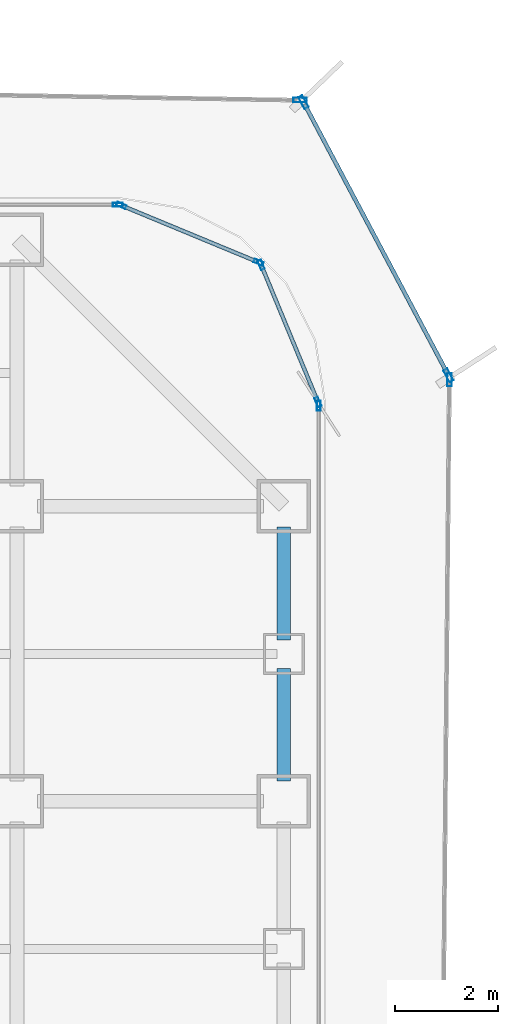
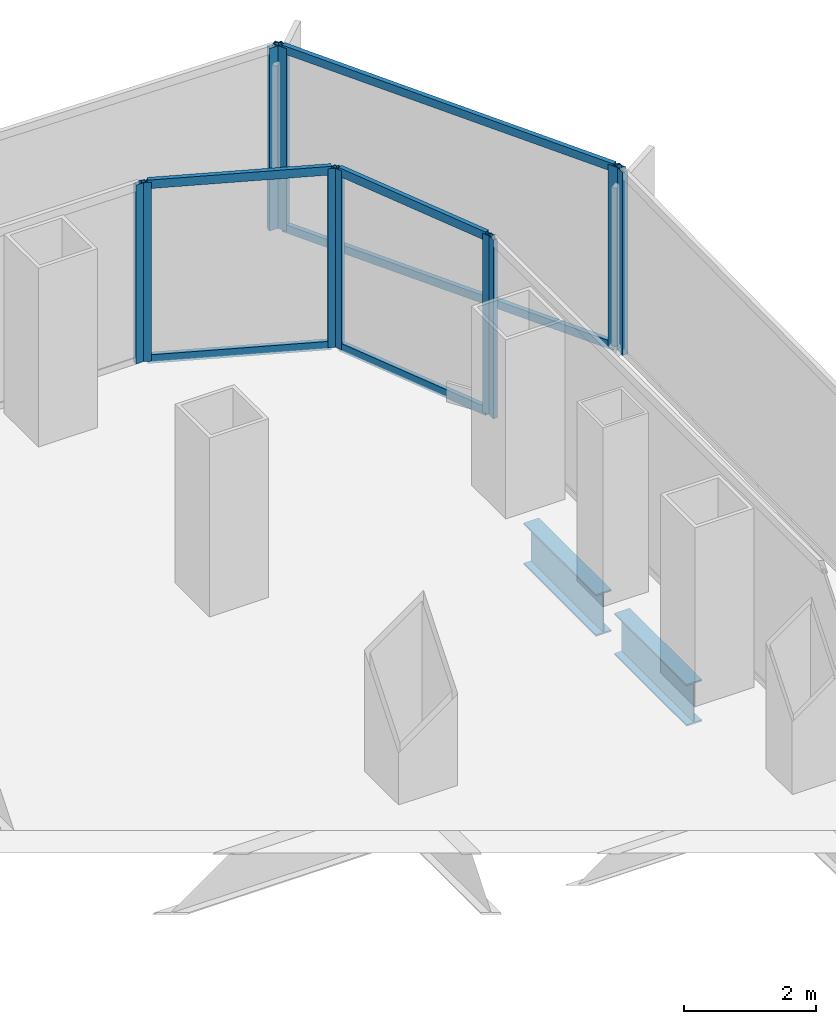
# One storey, part 15 of 21: 16 members, 2 beams, 7 elements without a shape of their own.
"""IFC4 building model written with IfcOpenShell, lengths in metres."""

from ifc_helpers import new_model, si_unit, direction, frame, origin, origin_2d, place, context, subcontext, project, spatial, hollow_rectangle, i_section, extrude, source, transform, mapped, material, layer, layer_set, material_profile, profile_set, type_object, element, aggregate, save


model = new_model("IFC4")

# Units and contexts
model_context = context("Model", 3, precision=1e-05, world=origin(), true_north=direction((0.0, 1.0)))
body_context = subcontext(model_context, "Body", "Model", "MODEL_VIEW")
ifc_project = project(units=[si_unit("LENGTHUNIT", "METRE"), si_unit("AREAUNIT", "SQUARE_METRE"), si_unit("VOLUMEUNIT", "CUBIC_METRE"), si_unit("PLANEANGLEUNIT", "RADIAN"), si_unit("MASSUNIT", "GRAM", prefix="KILO")], contexts=[model_context])

# Site, building, storey
site_placement = place(None, origin())
site = spatial("IfcSite", under=ifc_project, at=site_placement, CompositionType="ELEMENT")
building_placement = place(site_placement, origin())
building = spatial("IfcBuilding", under=site, at=building_placement, Name="Kolveth Station Tower", CompositionType="ELEMENT")
storey_placement = place(building_placement, frame((0.0, 0.0, 58.5)))
storey = spatial("IfcBuildingStorey", under=building, at=storey_placement, Name="L15", CompositionType="ELEMENT", Elevation=58.5)

# Beams
ifc_material_1 = material(Name="Steel S355", Category="steel")
ifc_material_profile_1 = material_profile(ifc_material_1, i_section(OverallWidth=0.26904296875, OverallDepth=0.77490234375, WebThickness=0.01708984375, FlangeThickness=0.0283203125, at=origin_2d()), Name="W760x220")
ifc_profile_set_1 = profile_set([ifc_material_profile_1], Name="Steel S355")
beam_type = type_object("IfcBeamType", Name="Beam_SP1", PredefinedType="SPANDREL", material=ifc_profile_set_1)
shared_shape_1 = source(origin(), body_context, "Body", "SweptSolid", [
    extrude(i_section(OverallWidth=0.26904296875, OverallDepth=0.77490234375, WebThickness=0.01708984375, FlangeThickness=0.0283203125, at=origin_2d()), origin(), (0.0, 0.0, 1.0), 2.2001953125),
])
beam_1_placement = place(storey_placement, frame((46.199951171875, 31.89990234375, -0.66748046875), z_axis=(0.0, 1.0, 0.0), x_axis=(-1.0, 0.0, 0.0)))
element("IfcBeam", 1, at=beam_1_placement, inside=storey, type_object=beam_type, Name="L15 Perimeter Spandrel BM-L15-PE-10", PredefinedType="SPANDREL", context=body_context, shape_type="MappedRepresentation", body=[
    mapped(shared_shape_1, transform((0.0, 0.0, 0.0), x_axis=(1.0, 0.0, 0.0), y_axis=(0.0, 1.0, 0.0), z_axis=(0.0, 0.0, 1.0), scale=1.0)),
])
shared_shape_2 = source(origin(), body_context, "Body", "SweptSolid", [
    extrude(i_section(OverallWidth=0.26904296875, OverallDepth=0.77490234375, WebThickness=0.01708984375, FlangeThickness=0.0283203125, at=origin_2d()), origin(), (0.0, 0.0, 1.0), 2.190185546875),
])
beam_2_placement = place(storey_placement, frame((46.199951171875, 29.14990234375, -0.66748046875), z_axis=(0.0, 1.0, 0.0), x_axis=(-1.0, 0.0, 0.0)))
element("IfcBeam", 2, at=beam_2_placement, inside=storey, type_object=beam_type, Name="L15 Perimeter Spandrel BM-L15-PE-9", PredefinedType="SPANDREL", context=body_context, shape_type="MappedRepresentation", body=[
    mapped(shared_shape_2, transform((0.0, 0.0, 0.0), x_axis=(1.0, 0.0, 0.0), y_axis=(0.0, 1.0, 0.0), z_axis=(0.0, 0.0, 1.0), scale=1.0)),
])

# Curtain wall, member
ifc_material_2 = material(Name="Aluminium 6063-T6 and low-E dark glass", Category="aluminium")
ifc_layer_1 = layer(ifc_material_2, 0.179931640625)
ifc_layer_set_1 = layer_set([ifc_layer_1], Name="Aluminium 6063-T6 and low-E dark glass")
curtain_wall_type_1 = type_object("IfcCurtainWallType", Name="CurtainWall_CW-Z1", PredefinedType="NOTDEFINED", material=ifc_layer_set_1)
curtain_wall_1_placement = place(storey_placement, origin())
curtain_wall_1 = element("IfcCurtainWall", 3, at=curtain_wall_1_placement, inside=storey, type_object=curtain_wall_type_1, Name="L15 Inner Thermal Curtain Wall 3", PredefinedType="NOTDEFINED")
ifc_material_3 = material(Name="Black anodized aluminium 6063-T6", Category="aluminium")
ifc_material_profile_2 = material_profile(ifc_material_3, hollow_rectangle(XDim=0.074951171875, YDim=0.18994140625, WallThickness=0.0048828125, at=origin_2d()), Name="ALU-75x190x5")
ifc_profile_set_2 = profile_set([ifc_material_profile_2], Name="Black anodized aluminium 6063-T6")
member_type_1 = type_object("IfcMemberType", Name="Mullion_ML1", PredefinedType="MULLION", material=ifc_profile_set_2)
shared_shape_3 = source(origin(), body_context, "Body", "SweptSolid", [
    extrude(hollow_rectangle(XDim=0.074951171875, YDim=0.18994140625, WallThickness=0.0048828125, at=origin_2d()), origin(), (0.0, 0.0, 1.0), 3.320068359375),
])
member_1_placement = place(storey_placement, frame((46.8798828125, 36.46240234375, 0.0), z_axis=(0.0, 0.0, 1.0), x_axis=(-1.0, 0.0, 0.0)))
member_1 = element("IfcMember", 4, at=member_1_placement, type_object=member_type_1, Name="CW-Z1 mullion 2", PredefinedType="MULLION", context=body_context, shape_type="MappedRepresentation", body=[
    mapped(shared_shape_3, transform((0.0, 0.0, 0.0), x_axis=(1.0, 0.0, 0.0), y_axis=(0.0, 1.0, 0.0), z_axis=(0.0, 0.0, 1.0), scale=1.0)),
])
aggregate(curtain_wall_1, [member_1])

# Curtain wall, members
curtain_wall_2_placement = place(storey_placement, origin())
curtain_wall_2 = element("IfcCurtainWall", 5, at=curtain_wall_2_placement, inside=storey, type_object=curtain_wall_type_1, Name="L15 Inner Thermal Curtain Wall 4", PredefinedType="NOTDEFINED")
member_2_placement = place(storey_placement, frame((46.86572265625, 36.53466796875, 0.0), z_axis=(0.0, 0.0, 1.0), x_axis=(-0.923883857728, -0.382672990201, 0.0)))
member_2 = element("IfcMember", 6, at=member_2_placement, type_object=member_type_1, Name="CW-Z1 mullion 1", PredefinedType="MULLION", context=body_context, shape_type="MappedRepresentation", body=[
    mapped(shared_shape_3, transform((0.0, 0.0, 0.0), x_axis=(1.0, 0.0, 0.0), y_axis=(0.0, 1.0, 0.0), z_axis=(0.0, 0.0, 1.0), scale=1.0)),
])
member_3_placement = place(storey_placement, frame((45.758056640625, 39.208984375, 0.0), z_axis=(0.0, 0.0, 1.0), x_axis=(-0.923883857728, -0.382672990201, 0.0)))
member_3 = element("IfcMember", 7, at=member_3_placement, type_object=member_type_1, Name="CW-Z1 mullion 2", PredefinedType="MULLION", context=body_context, shape_type="MappedRepresentation", body=[
    mapped(shared_shape_3, transform((0.0, 0.0, 0.0), x_axis=(1.0, 0.0, 0.0), y_axis=(0.0, 1.0, 0.0), z_axis=(0.0, 0.0, 1.0), scale=1.0)),
])

curtain_wall_3_placement = place(storey_placement, origin())
curtain_wall_3 = element("IfcCurtainWall", 8, at=curtain_wall_3_placement, inside=storey, type_object=curtain_wall_type_1, Name="L15 Inner Thermal Curtain Wall 5", PredefinedType="NOTDEFINED")
member_4_placement = place(storey_placement, frame((45.708984375, 39.258056640625, 0.0), z_axis=(0.0, 0.0, 1.0), x_axis=(-0.382672990201, -0.923883857728, 0.0)))
member_4 = element("IfcMember", 9, at=member_4_placement, type_object=member_type_1, Name="CW-Z1 mullion 1", PredefinedType="MULLION", context=body_context, shape_type="MappedRepresentation", body=[
    mapped(shared_shape_3, transform((0.0, 0.0, 0.0), x_axis=(1.0, 0.0, 0.0), y_axis=(0.0, 1.0, 0.0), z_axis=(0.0, 0.0, 1.0), scale=1.0)),
])
member_5_placement = place(storey_placement, frame((43.03466796875, 40.36572265625, 0.0), z_axis=(0.0, 0.0, 1.0), x_axis=(-0.382672990201, -0.923883857728, 0.0)))
member_5 = element("IfcMember", 10, at=member_5_placement, type_object=member_type_1, Name="CW-Z1 mullion 2", PredefinedType="MULLION", context=body_context, shape_type="MappedRepresentation", body=[
    mapped(shared_shape_3, transform((0.0, 0.0, 0.0), x_axis=(1.0, 0.0, 0.0), y_axis=(0.0, 1.0, 0.0), z_axis=(0.0, 0.0, 1.0), scale=1.0)),
])

# Curtain wall, member
curtain_wall_4_placement = place(storey_placement, origin())
curtain_wall_4 = element("IfcCurtainWall", 11, at=curtain_wall_4_placement, inside=storey, type_object=curtain_wall_type_1, Name="L15 Inner Thermal Curtain Wall 6", PredefinedType="NOTDEFINED")
member_6_placement = place(storey_placement, frame((42.96240234375, 40.3798828125, 0.0), z_axis=(0.0, 0.0, 1.0), x_axis=(0.0, -1.0, 0.0)))
member_6 = element("IfcMember", 12, at=member_6_placement, type_object=member_type_1, Name="CW-Z1 mullion 1", PredefinedType="MULLION", context=body_context, shape_type="MappedRepresentation", body=[
    mapped(shared_shape_3, transform((0.0, 0.0, 0.0), x_axis=(1.0, 0.0, 0.0), y_axis=(0.0, 1.0, 0.0), z_axis=(0.0, 0.0, 1.0), scale=1.0)),
])
aggregate(curtain_wall_4, [member_6])

# Member
ifc_material_profile_3 = material_profile(ifc_material_3, hollow_rectangle(XDim=0.074951171875, YDim=0.159912109375, WallThickness=0.0048828125, at=origin_2d()), Name="ALU-75x160x5")
ifc_profile_set_3 = profile_set([ifc_material_profile_3], Name="Black anodized aluminium 6063-T6")
member_type_2 = type_object("IfcMemberType", Name="Transom_TR1", PredefinedType="USERDEFINED", material=ifc_profile_set_3)
shared_shape_4 = source(origin(), body_context, "Body", "SweptSolid", [
    extrude(hollow_rectangle(XDim=0.074951171875, YDim=0.159912109375, WallThickness=0.0048828125, at=origin_2d()), origin(), (0.0, 0.0, 1.0), 2.819580078125),
])
member_7_placement = place(storey_placement, frame((46.851318359375, 36.5693359375, 0.03759765625), z_axis=(-0.382708655389, 0.923869084389, 0.0), x_axis=(-0.923869084389, -0.382708655389, 0.0)))
member_7 = element("IfcMember", 13, at=member_7_placement, type_object=member_type_2, Name="CW-Z1 transom 1.1", ObjectType="TRANSOM", PredefinedType="USERDEFINED", context=body_context, shape_type="MappedRepresentation", body=[
    mapped(shared_shape_4, transform((0.0, 0.0, 0.0), x_axis=(1.0, 0.0, 0.0), y_axis=(0.0, 1.0, 0.0), z_axis=(0.0, 0.0, 1.0), scale=1.0)),
])

member_8_placement = place(storey_placement, frame((46.851318359375, 36.5693359375, 3.282470703125), z_axis=(-0.382708655389, 0.923869084389, 0.0), x_axis=(-0.923869084389, -0.382708655389, 0.0)))
member_8 = element("IfcMember", 14, at=member_8_placement, type_object=member_type_2, Name="CW-Z1 transom 1.2", ObjectType="TRANSOM", PredefinedType="USERDEFINED", context=body_context, shape_type="MappedRepresentation", body=[
    mapped(shared_shape_4, transform((0.0, 0.0, 0.0), x_axis=(1.0, 0.0, 0.0), y_axis=(0.0, 1.0, 0.0), z_axis=(0.0, 0.0, 1.0), scale=1.0)),
])

aggregate(curtain_wall_2, [member_2, member_3, member_7, member_8])

member_9_placement = place(storey_placement, frame((45.67431640625, 39.272216796875, 0.03759765625), z_axis=(-0.923869084389, 0.382708655389, 0.0), x_axis=(-0.382708655389, -0.923869084389, 0.0)))
member_9 = element("IfcMember", 15, at=member_9_placement, type_object=member_type_2, Name="CW-Z1 transom 1.1", ObjectType="TRANSOM", PredefinedType="USERDEFINED", context=body_context, shape_type="MappedRepresentation", body=[
    mapped(shared_shape_4, transform((0.0, 0.0, 0.0), x_axis=(1.0, 0.0, 0.0), y_axis=(0.0, 1.0, 0.0), z_axis=(0.0, 0.0, 1.0), scale=1.0)),
])

member_10_placement = place(storey_placement, frame((45.67431640625, 39.272216796875, 3.282470703125), z_axis=(-0.923869084389, 0.382708655389, 0.0), x_axis=(-0.382708655389, -0.923869084389, 0.0)))
member_10 = element("IfcMember", 16, at=member_10_placement, type_object=member_type_2, Name="CW-Z1 transom 1.2", ObjectType="TRANSOM", PredefinedType="USERDEFINED", context=body_context, shape_type="MappedRepresentation", body=[
    mapped(shared_shape_4, transform((0.0, 0.0, 0.0), x_axis=(1.0, 0.0, 0.0), y_axis=(0.0, 1.0, 0.0), z_axis=(0.0, 0.0, 1.0), scale=1.0)),
])

aggregate(curtain_wall_3, [member_4, member_5, member_9, member_10])

# Curtain wall, member
ifc_material_4 = material(Name="Black anodized aluminium 6063-T6 and dark solar glass", Category="aluminium")
ifc_layer_2 = layer(ifc_material_4, 0.159912109375)
ifc_layer_set_2 = layer_set([ifc_layer_2], Name="Black anodized aluminium 6063-T6 and dark solar glass")
curtain_wall_type_2 = type_object("IfcCurtainWallType", Name="OUTER SKIN CW-OS", PredefinedType="NOTDEFINED", material=ifc_layer_set_2)
curtain_wall_5_placement = place(storey_placement, origin())
curtain_wall_5 = element("IfcCurtainWall", 17, at=curtain_wall_5_placement, inside=storey, type_object=curtain_wall_type_2, Name="L15 Outer Ventilated Skin Curtain Wall 2", PredefinedType="NOTDEFINED")
ifc_material_profile_4 = material_profile(ifc_material_3, hollow_rectangle(XDim=0.090087890625, YDim=0.260009765625, WallThickness=0.0048828125, at=origin_2d()), Name="ALU-90x260x5")
ifc_profile_set_4 = profile_set([ifc_material_profile_4], Name="Black anodized aluminium 6063-T6")
member_type_3 = type_object("IfcMemberType", Name="FIN MULLION ML-OS", PredefinedType="MULLION", material=ifc_profile_set_4)
shared_shape_5 = source(origin(), body_context, "Body", "SweptSolid", [
    extrude(hollow_rectangle(XDim=0.090087890625, YDim=0.260009765625, WallThickness=0.0048828125, at=origin_2d()), origin(), (0.0, 0.0, 1.0), 3.389892578125),
])
member_11_placement = place(storey_placement, frame((49.4306640625, 36.969482421875, 0.0), z_axis=(0.0, 0.0, 1.0), x_axis=(-0.999956243788, 0.009354705231, 0.0)))
member_11 = element("IfcMember", 18, at=member_11_placement, type_object=member_type_3, Name="CW-OS mullion 2", PredefinedType="MULLION", context=body_context, shape_type="MappedRepresentation", body=[
    mapped(shared_shape_5, transform((0.0, 0.0, 0.0), x_axis=(1.0, 0.0, 0.0), y_axis=(0.0, 1.0, 0.0), z_axis=(0.0, 0.0, 1.0), scale=1.0)),
])
aggregate(curtain_wall_5, [member_11])

# Curtain wall, members
curtain_wall_6_placement = place(storey_placement, origin())
curtain_wall_6 = element("IfcCurtainWall", 19, at=curtain_wall_6_placement, inside=storey, type_object=curtain_wall_type_2, Name="L15 Outer Ventilated Skin Curtain Wall 3", PredefinedType="NOTDEFINED")
member_12_placement = place(storey_placement, frame((49.41015625, 37.054443359375, 0.0), z_axis=(0.0, 0.0, 1.0), x_axis=(-0.883331208942, -0.468749373662, 0.0)))
member_12 = element("IfcMember", 20, at=member_12_placement, type_object=member_type_3, Name="CW-OS mullion 1", PredefinedType="MULLION", context=body_context, shape_type="MappedRepresentation", body=[
    mapped(shared_shape_5, transform((0.0, 0.0, 0.0), x_axis=(1.0, 0.0, 0.0), y_axis=(0.0, 1.0, 0.0), z_axis=(0.0, 0.0, 1.0), scale=1.0)),
])
member_13_placement = place(storey_placement, frame((46.58349609375, 42.380859375, 0.0), z_axis=(0.0, 0.0, 1.0), x_axis=(-0.883331208942, -0.468749373662, 0.0)))
member_13 = element("IfcMember", 21, at=member_13_placement, type_object=member_type_3, Name="CW-OS mullion 2", PredefinedType="MULLION", context=body_context, shape_type="MappedRepresentation", body=[
    mapped(shared_shape_5, transform((0.0, 0.0, 0.0), x_axis=(1.0, 0.0, 0.0), y_axis=(0.0, 1.0, 0.0), z_axis=(0.0, 0.0, 1.0), scale=1.0)),
])

# Curtain wall, member
curtain_wall_7_placement = place(storey_placement, origin())
curtain_wall_7 = element("IfcCurtainWall", 22, at=curtain_wall_7_placement, inside=storey, type_object=curtain_wall_type_2, Name="L15 Outer Ventilated Skin Curtain Wall 4", PredefinedType="NOTDEFINED")
member_14_placement = place(storey_placement, frame((46.517578125, 42.421142578125, 0.0), z_axis=(0.0, 0.0, 1.0), x_axis=(-0.016764318927, -0.999859468931, 0.0)))
member_14 = element("IfcMember", 23, at=member_14_placement, type_object=member_type_3, Name="CW-OS mullion 1", PredefinedType="MULLION", context=body_context, shape_type="MappedRepresentation", body=[
    mapped(shared_shape_5, transform((0.0, 0.0, 0.0), x_axis=(1.0, 0.0, 0.0), y_axis=(0.0, 1.0, 0.0), z_axis=(0.0, 0.0, 1.0), scale=1.0)),
])
aggregate(curtain_wall_7, [member_14])

# Member
ifc_material_profile_5 = material_profile(ifc_material_3, hollow_rectangle(XDim=0.080078125, YDim=0.14990234375, WallThickness=0.0048828125, at=origin_2d()), Name="ALU-80x150x5")
ifc_profile_set_5 = profile_set([ifc_material_profile_5], Name="Black anodized aluminium 6063-T6")
member_type_4 = type_object("IfcMemberType", Name="Transom_TR-OS", PredefinedType="USERDEFINED", material=ifc_profile_set_5)
shared_shape_6 = source(origin(), body_context, "Body", "SweptSolid", [
    extrude(hollow_rectangle(XDim=0.080078125, YDim=0.14990234375, WallThickness=0.0048828125, at=origin_2d()), origin(), (0.0, 0.0, 1.0), 5.93994140625),
])
member_15_placement = place(storey_placement, frame((49.388916015625, 37.093994140625, 0.0400390625), z_axis=(-0.46871842498, 0.883347631504, 0.0), x_axis=(-0.883347631504, -0.46871842498, 0.0)))
member_15 = element("IfcMember", 24, at=member_15_placement, type_object=member_type_4, Name="CW-OS transom 1.1", ObjectType="TRANSOM", PredefinedType="USERDEFINED", context=body_context, shape_type="MappedRepresentation", body=[
    mapped(shared_shape_6, transform((0.0, 0.0, 0.0), x_axis=(1.0, 0.0, 0.0), y_axis=(0.0, 1.0, 0.0), z_axis=(0.0, 0.0, 1.0), scale=1.0)),
])

member_16_placement = place(storey_placement, frame((49.388916015625, 37.093994140625, 3.35009765625), z_axis=(-0.46871842498, 0.883347631504, 0.0), x_axis=(-0.883347631504, -0.46871842498, 0.0)))
member_16 = element("IfcMember", 25, at=member_16_placement, type_object=member_type_4, Name="CW-OS transom 1.2", ObjectType="TRANSOM", PredefinedType="USERDEFINED", context=body_context, shape_type="MappedRepresentation", body=[
    mapped(shared_shape_6, transform((0.0, 0.0, 0.0), x_axis=(1.0, 0.0, 0.0), y_axis=(0.0, 1.0, 0.0), z_axis=(0.0, 0.0, 1.0), scale=1.0)),
])

aggregate(curtain_wall_6, [member_12, member_13, member_15, member_16])

save(model, "model.ifc")
